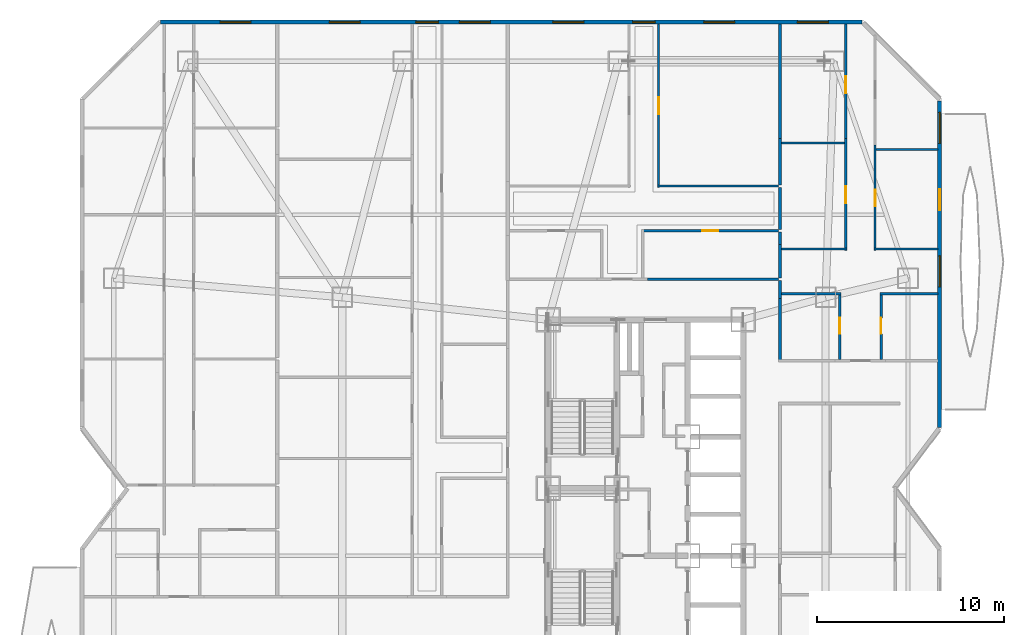
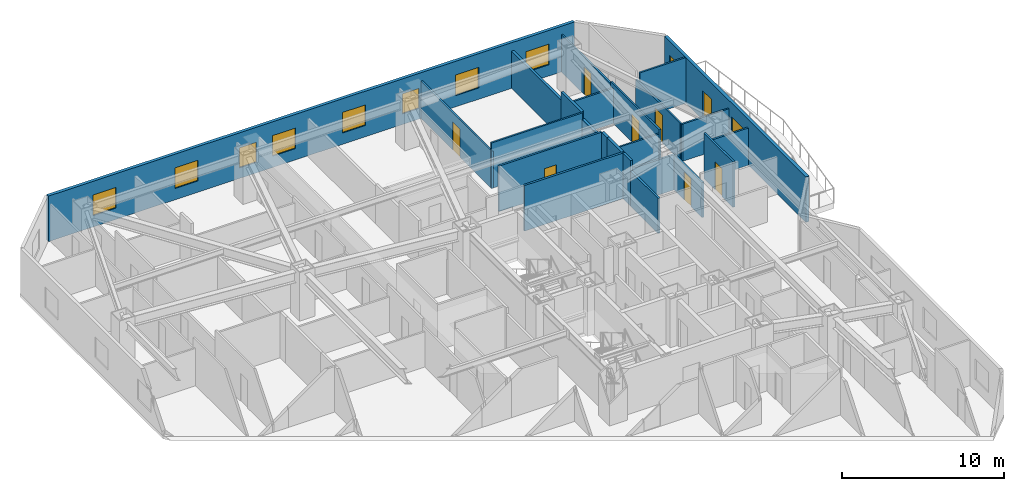
# One storey, part 13 of 17: 24 walls, 10 windows, 8 doors, 18 openings.
"""IFC4 building model written with IfcOpenShell, lengths in metres."""

from ifc_helpers import new_model, si_unit, direction, frame, frame_2d, origin, place, context, subcontext, project, spatial, rectangle, extrude, material, layer, layer_set, type_object, element, fill, save


model = new_model("IFC4")

# Units and contexts
model_context = context("Model", 3, precision=1e-05, world=origin(), true_north=direction((0.0, 1.0)))
body_context = subcontext(model_context, "Body", "Model", "MODEL_VIEW")
ifc_project = project(units=[si_unit("LENGTHUNIT", "METRE"), si_unit("AREAUNIT", "SQUARE_METRE"), si_unit("VOLUMEUNIT", "CUBIC_METRE"), si_unit("PLANEANGLEUNIT", "RADIAN"), si_unit("MASSUNIT", "GRAM", prefix="KILO")], contexts=[model_context])

# Site, building, storey
site_placement = place(None, origin())
site = spatial("IfcSite", under=ifc_project, at=site_placement, CompositionType="ELEMENT")
building_placement = place(site_placement, origin())
building = spatial("IfcBuilding", under=site, at=building_placement, Name="Khamvora Tower", CompositionType="ELEMENT")
storey_placement = place(building_placement, frame((0.0, 0.0, 44.25)))
storey = spatial("IfcBuildingStorey", under=building, at=storey_placement, Name="L10", CompositionType="ELEMENT", Elevation=44.25)

# Walls
ifc_material_1 = material(Name="Fire-Rated Drywall and Steel Stud", Category="steel")
ifc_layer_1 = layer(ifc_material_1, 0.14990234375)
ifc_layer_set_1 = layer_set([ifc_layer_1], Name="Fire-Rated Drywall and Steel Stud")
wall_type_1 = type_object("IfcWallType", Name="WAL-CORR-150", PredefinedType="STANDARD", material=ifc_layer_set_1)
wall_1_placement = place(storey_placement, frame((34.299072265625, 39.1650390625, 0.0), z_axis=(0.0, 0.0, 1.0), x_axis=(1.0, 0.0, 0.0)))
element("IfcWall", 1, at=wall_1_placement, inside=storey, type_object=wall_type_1, Name="L10 interior partition wall 031", PredefinedType="STANDARD", context=body_context, shape_type="SweptSolid", body=[
    extrude(rectangle(XDim=7.0009765625, YDim=0.14990234375, at=frame_2d((3.50048828125, 0.0))), origin(), (0.0, 0.0, 1.0), 3.429931640625),
])
wall_2_placement = place(storey_placement, frame((41.364990234375, 39.10009765625, 0.0), z_axis=(0.0, 0.0, 1.0), x_axis=(0.0, -1.0, 0.0)))
element("IfcWall", 2, at=wall_2_placement, inside=storey, type_object=wall_type_1, Name="L10 interior partition wall 038", PredefinedType="STANDARD", context=body_context, shape_type="SweptSolid", body=[
    extrude(rectangle(XDim=0.9541015625, YDim=0.14990234375, at=frame_2d((0.47705078125, 0.0))), origin(), (0.0, 0.0, 1.0), 3.429931640625),
])
wall_3_placement = place(storey_placement, frame((41.364990234375, 38.14599609375, 0.0), z_axis=(0.0, 0.0, 1.0), x_axis=(0.0, -1.0, 0.0)))
element("IfcWall", 3, at=wall_3_placement, inside=storey, type_object=wall_type_1, Name="L10 interior partition wall 040", PredefinedType="STANDARD", context=body_context, shape_type="SweptSolid", body=[
    extrude(rectangle(XDim=3.39599609375, YDim=0.14990234375, at=frame_2d((1.697998046875, 0.0))), origin(), (0.0, 0.0, 1.0), 2.64697265625),
])
ifc_material_2 = material(Name="Acoustic Double-Stud Fire Wall", Category="gypsum")
ifc_layer_2 = layer(ifc_material_2, 0.179931640625)
ifc_layer_set_2 = layer_set([ifc_layer_2], Name="Acoustic Double-Stud Fire Wall")
wall_type_2 = type_object("IfcWallType", Name="WAL-CORR-180", PredefinedType="STANDARD", material=ifc_layer_set_2)
wall_4_placement = place(storey_placement, frame((41.364990234375, 44.069091796875, 0.0), z_axis=(0.0, 0.0, 1.0), x_axis=(0.0, -1.0, 0.0)))
element("IfcWall", 4, at=wall_4_placement, inside=storey, type_object=wall_type_2, Name="L10 interior partition wall 142", PredefinedType="STANDARD", context=body_context, shape_type="SweptSolid", body=[
    extrude(rectangle(XDim=2.25, YDim=0.179931640625, at=frame_2d((1.125, 0.0))), origin(), (0.0, 0.0, 1.0), 2.95703125),
])
wall_5_placement = place(storey_placement, frame((41.364990234375, 41.02392578125, 0.0), z_axis=(0.0, 0.0, 1.0), x_axis=(0.0, -1.0, 0.0)))
element("IfcWall", 5, at=wall_5_placement, inside=storey, type_object=wall_type_2, Name="L10 interior partition wall 143", PredefinedType="STANDARD", context=body_context, shape_type="SweptSolid", body=[
    extrude(rectangle(XDim=1.7939453125, YDim=0.179931640625, at=frame_2d((0.89697265625, 0.0))), origin(), (0.0, 0.0, 1.0), 3.429931640625),
])
wall_6_placement = place(storey_placement, frame((41.364990234375, 41.68896484375, 0.0), z_axis=(0.0, 0.0, 1.0), x_axis=(0.0, -1.0, 0.0)))
element("IfcWall", 6, at=wall_6_placement, inside=storey, type_object=wall_type_2, Name="L10 interior partition wall 144", PredefinedType="STANDARD", context=body_context, shape_type="SweptSolid", body=[
    extrude(rectangle(XDim=0.6650390625, YDim=0.179931640625, at=frame_2d((0.33251953125, 0.0))), origin(), (0.0, 0.0, 1.0), 3.429931640625),
])
wall_7_placement = place(storey_placement, frame((41.364990234375, 46.68701171875, 0.0), z_axis=(0.0, 0.0, 1.0), x_axis=(0.0, -1.0, 0.0)))
element("IfcWall", 7, at=wall_7_placement, inside=storey, type_object=wall_type_2, Name="L10 interior partition wall 145", PredefinedType="STANDARD", context=body_context, shape_type="SweptSolid", body=[
    extrude(rectangle(XDim=2.488037109375, YDim=0.179931640625, at=frame_2d((1.244140625, 0.0))), origin(), (0.0, 0.0, 1.0), 3.429931640625),
])
wall_8_placement = place(storey_placement, frame((41.364990234375, 52.7880859375, 0.0), z_axis=(0.0, 0.0, 1.0), x_axis=(0.0, -1.0, 0.0)))
element("IfcWall", 8, at=wall_8_placement, inside=storey, type_object=wall_type_2, Name="L10 interior partition wall 146", PredefinedType="STANDARD", context=body_context, shape_type="SweptSolid", body=[
    extrude(rectangle(XDim=6.10107421875, YDim=0.179931640625, at=frame_2d((3.050537109375, 0.0))), origin(), (0.0, 0.0, 1.0), 2.802978515625),
])

# Wall, openings, windows
ifc_material_3 = material(Name="Precast concrete C40/50", Category="concrete")
ifc_layer_3 = layer(ifc_material_3, 0.219970703125)
ifc_layer_set_3 = layer_set([ifc_layer_3], Name="Precast concrete C40/50")
wall_type_3 = type_object("IfcWallType", Name="WAL-EXT-220", PredefinedType="STANDARD", material=ifc_layer_set_3)
wall_9_placement = place(storey_placement, frame((8.31494140625, 52.889892578125, 0.0), z_axis=(0.0, 0.0, 1.0), x_axis=(1.0, 0.0, 0.0)))
wall_9 = element("IfcWall", 9, at=wall_9_placement, inside=storey, type_object=wall_type_3, Name="L10 exterior facade wall 07.1", PredefinedType="STANDARD", context=body_context, shape_type="SweptSolid", body=[
    extrude(rectangle(XDim=37.43896484375, YDim=0.219970703125, at=frame_2d((18.719482421875, 0.0))), origin(), (0.0, 0.0, 1.0), 3.429931640625),
])
opening_1_placement = place(wall_9_placement, frame((3.1640625, 0.0, 0.85009765625)))
opening_1 = element("IfcOpeningElement", 10, at=opening_1_placement, cuts=wall_9, Name="Opening WN-06", PredefinedType="OPENING", context=body_context, shape_type="SweptSolid", body=[
    extrude(rectangle(XDim=1.64990234375, YDim=1.550048828125, at=frame_2d((0.824951171875, 0.77490234375))), frame((0.0, 0.119873046875, 0.0), z_axis=(0.0, -1.0, 0.0), x_axis=(1.0, 0.0, 0.0)), (0.0, 0.0, 1.0), 0.239990234375),
])
opening_2_placement = place(wall_9_placement, frame((15.93994140625, 0.0, 0.85009765625)))
opening_2 = element("IfcOpeningElement", 11, at=opening_2_placement, cuts=wall_9, Name="Opening WN-06", PredefinedType="OPENING", context=body_context, shape_type="SweptSolid", body=[
    extrude(rectangle(XDim=1.64990234375, YDim=1.550048828125, at=frame_2d((0.824951171875, 0.77490234375))), frame((0.0, 0.119873046875, 0.0), z_axis=(0.0, -1.0, 0.0), x_axis=(1.0, 0.0, 0.0)), (0.0, 0.0, 1.0), 0.239990234375),
])
opening_3_placement = place(wall_9_placement, frame((13.618896484375, 0.0, 0.800048828125)))
opening_3 = element("IfcOpeningElement", 12, at=opening_3_placement, cuts=wall_9, Name="Opening WN-03", PredefinedType="OPENING", context=body_context, shape_type="SweptSolid", body=[
    extrude(rectangle(XDim=1.199951171875, YDim=1.5, at=frame_2d((0.60009765625, 0.75))), frame((0.0, 0.119873046875, 0.0), z_axis=(0.0, -1.0, 0.0), x_axis=(1.0, 0.0, 0.0)), (0.0, 0.0, 1.0), 0.239990234375),
])
opening_4_placement = place(wall_9_placement, frame((8.9990234375, 0.0, 0.85009765625)))
opening_4 = element("IfcOpeningElement", 13, at=opening_4_placement, cuts=wall_9, Name="Opening WN-06", PredefinedType="OPENING", context=body_context, shape_type="SweptSolid", body=[
    extrude(rectangle(XDim=1.64990234375, YDim=1.550048828125, at=frame_2d((0.824951171875, 0.77490234375))), frame((0.0, 0.119873046875, 0.0), z_axis=(0.0, -1.0, 0.0), x_axis=(1.0, 0.0, 0.0)), (0.0, 0.0, 1.0), 0.239990234375),
])
opening_5_placement = place(wall_9_placement, frame((25.18505859375, 0.0, 0.800048828125)))
opening_5 = element("IfcOpeningElement", 14, at=opening_5_placement, cuts=wall_9, Name="Opening WN-03", PredefinedType="OPENING", context=body_context, shape_type="SweptSolid", body=[
    extrude(rectangle(XDim=1.199951171875, YDim=1.5, at=frame_2d((0.60009765625, 0.75))), frame((0.0, 0.119873046875, 0.0), z_axis=(0.0, -1.0, 0.0), x_axis=(1.0, 0.0, 0.0)), (0.0, 0.0, 1.0), 0.239990234375),
])
opening_6_placement = place(wall_9_placement, frame((20.93505859375, 0.0, 0.85009765625)))
opening_6 = element("IfcOpeningElement", 15, at=opening_6_placement, cuts=wall_9, Name="Opening WN-06", PredefinedType="OPENING", context=body_context, shape_type="SweptSolid", body=[
    extrude(rectangle(XDim=1.64990234375, YDim=1.550048828125, at=frame_2d((0.824951171875, 0.77490234375))), frame((0.0, 0.119873046875, 0.0), z_axis=(0.0, -1.0, 0.0), x_axis=(1.0, 0.0, 0.0)), (0.0, 0.0, 1.0), 0.239990234375),
])
opening_7_placement = place(wall_9_placement, frame((28.985107421875, 0.0, 0.85009765625)))
opening_7 = element("IfcOpeningElement", 16, at=opening_7_placement, cuts=wall_9, Name="Opening WN-06", PredefinedType="OPENING", context=body_context, shape_type="SweptSolid", body=[
    extrude(rectangle(XDim=1.64990234375, YDim=1.550048828125, at=frame_2d((0.824951171875, 0.77490234375))), frame((0.0, 0.119873046875, 0.0), z_axis=(0.0, -1.0, 0.0), x_axis=(1.0, 0.0, 0.0)), (0.0, 0.0, 1.0), 0.239990234375),
])
opening_8_placement = place(wall_9_placement, frame((33.97998046875, 0.0, 0.85009765625)))
opening_8 = element("IfcOpeningElement", 17, at=opening_8_placement, cuts=wall_9, Name="Opening WN-06", PredefinedType="OPENING", context=body_context, shape_type="SweptSolid", body=[
    extrude(rectangle(XDim=1.64990234375, YDim=1.550048828125, at=frame_2d((0.824951171875, 0.77490234375))), frame((0.0, 0.119873046875, 0.0), z_axis=(0.0, -1.0, 0.0), x_axis=(1.0, 0.0, 0.0)), (0.0, 0.0, 1.0), 0.239990234375),
])
ifc_material_4 = material(Name="Low-E Laminated Double Glazing", Category="glass")
window_type_1 = type_object("IfcWindowType", Name="WIN-VIS-1200x1500", PartitioningType="SINGLE_PANEL", PredefinedType="WINDOW", material=ifc_material_4)
window_1_placement = place(opening_3_placement, origin())
window_1 = element("IfcWindow", 18, at=window_1_placement, inside=storey, type_object=window_type_1, Name="L10 vision window 07.1.03", OverallHeight=1.5, OverallWidth=1.199951171875, PartitioningType="SINGLE_PANEL", PredefinedType="WINDOW", context=body_context, shape_type="SweptSolid", body=[
    extrude(rectangle(XDim=1.199951171875, YDim=1.5, at=frame_2d((0.60009765625, 0.75))), frame((0.0, 0.030029296875, 0.0), z_axis=(0.0, -1.0, 0.0), x_axis=(1.0, 0.0, 0.0)), (0.0, 0.0, 1.0), 0.06005859375),
])
fill(opening_3, window_1)
window_2_placement = place(opening_5_placement, origin())
window_2 = element("IfcWindow", 19, at=window_2_placement, inside=storey, type_object=window_type_1, Name="L10 vision window 07.1.05", OverallHeight=1.5, OverallWidth=1.199951171875, PartitioningType="SINGLE_PANEL", PredefinedType="WINDOW", context=body_context, shape_type="SweptSolid", body=[
    extrude(rectangle(XDim=1.199951171875, YDim=1.5, at=frame_2d((0.60009765625, 0.75))), frame((0.0, 0.030029296875, 0.0), z_axis=(0.0, -1.0, 0.0), x_axis=(1.0, 0.0, 0.0)), (0.0, 0.0, 1.0), 0.06005859375),
])
fill(opening_5, window_2)
window_type_2 = type_object("IfcWindowType", Name="WIN-VIS-1650x1550", PartitioningType="SINGLE_PANEL", PredefinedType="WINDOW", material=ifc_material_4)
window_3_placement = place(opening_1_placement, origin())
window_3 = element("IfcWindow", 20, at=window_3_placement, inside=storey, type_object=window_type_2, Name="L10 vision window 07.1.01", OverallHeight=1.550048828125, OverallWidth=1.64990234375, PartitioningType="SINGLE_PANEL", PredefinedType="WINDOW", context=body_context, shape_type="SweptSolid", body=[
    extrude(rectangle(XDim=1.64990234375, YDim=1.550048828125, at=frame_2d((0.824951171875, 0.77490234375))), frame((0.0, 0.030029296875, 0.0), z_axis=(0.0, -1.0, 0.0), x_axis=(1.0, 0.0, 0.0)), (0.0, 0.0, 1.0), 0.06005859375),
])
fill(opening_1, window_3)
window_4_placement = place(opening_2_placement, origin())
window_4 = element("IfcWindow", 21, at=window_4_placement, inside=storey, type_object=window_type_2, Name="L10 vision window 07.1.02", OverallHeight=1.550048828125, OverallWidth=1.64990234375, PartitioningType="SINGLE_PANEL", PredefinedType="WINDOW", context=body_context, shape_type="SweptSolid", body=[
    extrude(rectangle(XDim=1.64990234375, YDim=1.550048828125, at=frame_2d((0.824951171875, 0.77490234375))), frame((0.0, 0.030029296875, 0.0), z_axis=(0.0, -1.0, 0.0), x_axis=(1.0, 0.0, 0.0)), (0.0, 0.0, 1.0), 0.06005859375),
])
fill(opening_2, window_4)
window_5_placement = place(opening_4_placement, origin())
window_5 = element("IfcWindow", 22, at=window_5_placement, inside=storey, type_object=window_type_2, Name="L10 vision window 07.1.04", OverallHeight=1.550048828125, OverallWidth=1.64990234375, PartitioningType="SINGLE_PANEL", PredefinedType="WINDOW", context=body_context, shape_type="SweptSolid", body=[
    extrude(rectangle(XDim=1.64990234375, YDim=1.550048828125, at=frame_2d((0.824951171875, 0.77490234375))), frame((0.0, 0.030029296875, 0.0), z_axis=(0.0, -1.0, 0.0), x_axis=(1.0, 0.0, 0.0)), (0.0, 0.0, 1.0), 0.06005859375),
])
fill(opening_4, window_5)
window_6_placement = place(opening_6_placement, origin())
window_6 = element("IfcWindow", 23, at=window_6_placement, inside=storey, type_object=window_type_2, Name="L10 vision window 07.1.06", OverallHeight=1.550048828125, OverallWidth=1.64990234375, PartitioningType="SINGLE_PANEL", PredefinedType="WINDOW", context=body_context, shape_type="SweptSolid", body=[
    extrude(rectangle(XDim=1.64990234375, YDim=1.550048828125, at=frame_2d((0.824951171875, 0.77490234375))), frame((0.0, 0.030029296875, 0.0), z_axis=(0.0, -1.0, 0.0), x_axis=(1.0, 0.0, 0.0)), (0.0, 0.0, 1.0), 0.06005859375),
])
fill(opening_6, window_6)
window_7_placement = place(opening_7_placement, origin())
window_7 = element("IfcWindow", 24, at=window_7_placement, inside=storey, type_object=window_type_2, Name="L10 vision window 07.1.07", OverallHeight=1.550048828125, OverallWidth=1.64990234375, PartitioningType="SINGLE_PANEL", PredefinedType="WINDOW", context=body_context, shape_type="SweptSolid", body=[
    extrude(rectangle(XDim=1.64990234375, YDim=1.550048828125, at=frame_2d((0.824951171875, 0.77490234375))), frame((0.0, 0.030029296875, 0.0), z_axis=(0.0, -1.0, 0.0), x_axis=(1.0, 0.0, 0.0)), (0.0, 0.0, 1.0), 0.06005859375),
])
fill(opening_7, window_7)
window_8_placement = place(opening_8_placement, origin())
window_8 = element("IfcWindow", 25, at=window_8_placement, inside=storey, type_object=window_type_2, Name="L10 vision window 07.1.08", OverallHeight=1.550048828125, OverallWidth=1.64990234375, PartitioningType="SINGLE_PANEL", PredefinedType="WINDOW", context=body_context, shape_type="SweptSolid", body=[
    extrude(rectangle(XDim=1.64990234375, YDim=1.550048828125, at=frame_2d((0.824951171875, 0.77490234375))), frame((0.0, 0.030029296875, 0.0), z_axis=(0.0, -1.0, 0.0), x_axis=(1.0, 0.0, 0.0)), (0.0, 0.0, 1.0), 0.06005859375),
])
fill(opening_8, window_8)

# Wall, openings, door, windows
wall_10_placement = place(storey_placement, frame((49.889892578125, 48.68310546875, 0.0), z_axis=(0.0, 0.0, 1.0), x_axis=(0.0, -1.0, 0.0)))
wall_10 = element("IfcWall", 26, at=wall_10_placement, inside=storey, type_object=wall_type_3, Name="L10 exterior facade wall 09.1", PredefinedType="STANDARD", context=body_context, shape_type="SweptSolid", body=[
    extrude(rectangle(XDim=17.446044921875, YDim=0.219970703125, at=frame_2d((8.72314453125, 0.0))), origin(), (0.0, 0.0, 1.0), 3.429931640625),
])
opening_9_placement = place(wall_10_placement, frame((4.72900390625, 0.0, 0.0)))
opening_9 = element("IfcOpeningElement", 27, at=opening_9_placement, cuts=wall_10, Name="Opening BD-01", PredefinedType="OPENING", context=body_context, shape_type="SweptSolid", body=[
    extrude(rectangle(XDim=1.10009765625, YDim=2.199951171875, at=frame_2d((0.550048828125, 1.10009765625))), frame((0.0, 0.119873046875, 0.0), z_axis=(0.0, -1.0, 0.0), x_axis=(1.0, 0.0, 0.0)), (0.0, 0.0, 1.0), 0.239990234375),
])
opening_10_placement = place(wall_10_placement, frame((8.27294921875, 0.0, 0.85009765625)))
opening_10 = element("IfcOpeningElement", 28, at=opening_10_placement, cuts=wall_10, Name="Opening WN-06", PredefinedType="OPENING", context=body_context, shape_type="SweptSolid", body=[
    extrude(rectangle(XDim=1.64990234375, YDim=1.550048828125, at=frame_2d((0.824951171875, 0.77490234375))), frame((0.0, 0.119873046875, 0.0), z_axis=(0.0, -1.0, 0.0), x_axis=(1.0, 0.0, 0.0)), (0.0, 0.0, 1.0), 0.239990234375),
])
opening_11_placement = place(wall_10_placement, frame((0.615966796875, 0.0, 0.85009765625)))
opening_11 = element("IfcOpeningElement", 29, at=opening_11_placement, cuts=wall_10, Name="Opening WN-06", PredefinedType="OPENING", context=body_context, shape_type="SweptSolid", body=[
    extrude(rectangle(XDim=1.64990234375, YDim=1.550048828125, at=frame_2d((0.824951171875, 0.77490234375))), frame((0.0, 0.119873046875, 0.0), z_axis=(0.0, -1.0, 0.0), x_axis=(1.0, 0.0, 0.0)), (0.0, 0.0, 1.0), 0.239990234375),
])
ifc_material_5 = material(Name="Anodised Aluminium and Laminated Safety Glass", Category="aluminium")
door_type_1 = type_object("IfcDoorType", Name="DOR-BAL-1100", OperationType="NOTDEFINED", PredefinedType="DOOR", material=ifc_material_5)
door_1_placement = place(opening_9_placement, origin())
door_1 = element("IfcDoor", 30, at=door_1_placement, inside=storey, type_object=door_type_1, Name="L10 lens gallery balcony door EL2", OperationType="SLIDING_TO_LEFT", OverallHeight=2.199951171875, OverallWidth=1.10009765625, PredefinedType="DOOR", context=body_context, shape_type="SweptSolid", body=[
    extrude(rectangle(XDim=1.10009765625, YDim=2.199951171875, at=frame_2d((0.550048828125, 1.10009765625))), frame((0.0, 0.02490234375, 0.0), z_axis=(0.0, -1.0, 0.0), x_axis=(1.0, 0.0, 0.0)), (0.0, 0.0, 1.0), 0.050048828125),
])
fill(opening_9, door_1)
window_9_placement = place(opening_10_placement, origin())
window_9 = element("IfcWindow", 31, at=window_9_placement, inside=storey, type_object=window_type_2, Name="L10 vision window 09.1.01", OverallHeight=1.550048828125, OverallWidth=1.64990234375, PartitioningType="SINGLE_PANEL", PredefinedType="WINDOW", context=body_context, shape_type="SweptSolid", body=[
    extrude(rectangle(XDim=1.64990234375, YDim=1.550048828125, at=frame_2d((0.824951171875, 0.77490234375))), frame((0.0, 0.030029296875, 0.0), z_axis=(0.0, -1.0, 0.0), x_axis=(1.0, 0.0, 0.0)), (0.0, 0.0, 1.0), 0.06005859375),
])
fill(opening_10, window_9)
window_10_placement = place(opening_11_placement, origin())
window_10 = element("IfcWindow", 32, at=window_10_placement, inside=storey, type_object=window_type_2, Name="L10 vision window 09.1.02", OverallHeight=1.550048828125, OverallWidth=1.64990234375, PartitioningType="SINGLE_PANEL", PredefinedType="WINDOW", context=body_context, shape_type="SweptSolid", body=[
    extrude(rectangle(XDim=1.64990234375, YDim=1.550048828125, at=frame_2d((0.824951171875, 0.77490234375))), frame((0.0, 0.030029296875, 0.0), z_axis=(0.0, -1.0, 0.0), x_axis=(1.0, 0.0, 0.0)), (0.0, 0.0, 1.0), 0.06005859375),
])
fill(opening_11, window_10)

# Wall, opening, door
ifc_material_6 = material(Name="Gypsum Plasterboard Partition", Category="gypsum")
ifc_layer_4 = layer(ifc_material_6, 0.1201171875)
ifc_layer_set_4 = layer_set([ifc_layer_4], Name="Gypsum Plasterboard Partition")
wall_type_4 = type_object("IfcWallType", Name="WAL-PART-120", PredefinedType="PARTITIONING", material=ifc_layer_set_4)
wall_11_placement = place(storey_placement, frame((34.885009765625, 52.7880859375, 0.0), z_axis=(0.0, 0.0, 1.0), x_axis=(0.0, -1.0, 0.0)))
wall_11 = element("IfcWall", 33, at=wall_11_placement, inside=storey, type_object=wall_type_4, Name="L10 interior partition wall 140", PredefinedType="PARTITIONING", context=body_context, shape_type="SweptSolid", body=[
    extrude(rectangle(XDim=8.718994140625, YDim=0.1201171875, at=frame_2d((4.359375, 0.0))), origin(), (0.0, 0.0, 1.0), 2.802978515625),
])
opening_12_placement = place(wall_11_placement, frame((3.908935546875, 0.0, 0.0)))
opening_12 = element("IfcOpeningElement", 34, at=opening_12_placement, cuts=wall_11, Name="Opening D-RM1", PredefinedType="OPENING", context=body_context, shape_type="SweptSolid", body=[
    extrude(rectangle(XDim=0.89990234375, YDim=2.10009765625, at=frame_2d((0.449951171875, 1.050048828125))), frame((0.0, 0.070068359375, 0.0), z_axis=(0.0, -1.0, 0.0), x_axis=(1.0, 0.0, 0.0)), (0.0, 0.0, 1.0), 0.14013671875),
])
ifc_material_7 = material(Name="Powder-Coated Steel and Hardwood Leaf", Category="steel")
door_type_2 = type_object("IfcDoorType", Name="DOR-ROOM-900", OperationType="NOTDEFINED", PredefinedType="DOOR", material=ifc_material_7)
door_2_placement = place(opening_12_placement, origin())
door_2 = element("IfcDoor", 35, at=door_2_placement, inside=storey, type_object=door_type_2, Name="L10 interior door 10NAH-10NAR2", OperationType="SINGLE_SWING_LEFT", OverallHeight=2.10009765625, OverallWidth=0.89990234375, PredefinedType="DOOR", context=body_context, shape_type="SweptSolid", body=[
    extrude(rectangle(XDim=0.89990234375, YDim=2.10009765625, at=frame_2d((0.449951171875, 1.050048828125))), frame((0.0, 0.02490234375, 0.0), z_axis=(0.0, -1.0, 0.0), x_axis=(1.0, 0.0, 0.0)), (0.0, 0.0, 1.0), 0.050048828125),
])
fill(opening_12, door_2)

# Walls
wall_12_placement = place(storey_placement, frame((34.820068359375, 44.134033203125, 0.0), z_axis=(0.0, 0.0, 1.0), x_axis=(1.0, 0.0, 0.0)))
element("IfcWall", 36, at=wall_12_placement, inside=storey, type_object=wall_type_4, Name="L10 interior partition wall 141", PredefinedType="PARTITIONING", context=body_context, shape_type="SweptSolid", body=[
    extrude(rectangle(XDim=6.47998046875, YDim=0.1201171875, at=frame_2d((3.239990234375, 0.0))), origin(), (0.0, 0.0, 1.0), 3.429931640625),
])
wall_13_placement = place(storey_placement, frame((41.447021484375, 40.77490234375, 0.0), z_axis=(0.0, 0.0, 1.0), x_axis=(1.0, 0.0, 0.0)))
element("IfcWall", 37, at=wall_13_placement, inside=storey, type_object=wall_type_4, Name="L10 interior partition wall 166", PredefinedType="PARTITIONING", context=body_context, shape_type="SweptSolid", body=[
    extrude(rectangle(XDim=3.492919921875, YDim=0.1201171875, at=frame_2d((1.74658203125, 0.0))), origin(), (0.0, 0.0, 1.0), 2.64697265625),
])

# Wall, opening, door
wall_14_placement = place(storey_placement, frame((44.875, 40.7099609375, 0.0), z_axis=(0.0, 0.0, 1.0), x_axis=(0.0, 1.0, 0.0)))
wall_14 = element("IfcWall", 38, at=wall_14_placement, inside=storey, type_object=wall_type_4, Name="L10 interior partition wall 167", PredefinedType="PARTITIONING", context=body_context, shape_type="SweptSolid", body=[
    extrude(rectangle(XDim=5.97705078125, YDim=0.1201171875, at=frame_2d((2.988525390625, 0.0))), origin(), (0.0, 0.0, 1.0), 2.95703125),
])
opening_13_placement = place(wall_14_placement, frame((2.51708984375, 0.0, 0.0)))
opening_13 = element("IfcOpeningElement", 39, at=opening_13_placement, cuts=wall_14, Name="Opening D-RM1", PredefinedType="OPENING", context=body_context, shape_type="SweptSolid", body=[
    extrude(rectangle(XDim=0.89990234375, YDim=2.10009765625, at=frame_2d((0.449951171875, 1.050048828125))), frame((0.0, 0.070068359375, 0.0), z_axis=(0.0, -1.0, 0.0), x_axis=(1.0, 0.0, 0.0)), (0.0, 0.0, 1.0), 0.14013671875),
])
door_3_placement = place(opening_13_placement, origin())
door_3 = element("IfcDoor", 40, at=door_3_placement, inside=storey, type_object=door_type_2, Name="L10 interior door 10ECH-10ECL", OperationType="SINGLE_SWING_RIGHT", OverallHeight=2.10009765625, OverallWidth=0.89990234375, PredefinedType="DOOR", context=body_context, shape_type="SweptSolid", body=[
    extrude(rectangle(XDim=0.89990234375, YDim=2.10009765625, at=frame_2d((0.449951171875, 1.050048828125))), frame((0.0, 0.02490234375, 0.0), z_axis=(0.0, -1.0, 0.0), x_axis=(1.0, 0.0, 0.0)), (0.0, 0.0, 1.0), 0.050048828125),
])
fill(opening_13, door_3)

wall_15_placement = place(storey_placement, frame((44.875, 46.68701171875, 0.0), z_axis=(0.0, 0.0, 1.0), x_axis=(0.0, 1.0, 0.0)))
wall_15 = element("IfcWall", 41, at=wall_15_placement, inside=storey, type_object=wall_type_4, Name="L10 interior partition wall 168", PredefinedType="PARTITIONING", context=body_context, shape_type="SweptSolid", body=[
    extrude(rectangle(XDim=6.10107421875, YDim=0.1201171875, at=frame_2d((3.050537109375, 0.0))), origin(), (0.0, 0.0, 1.0), 2.802978515625),
])
opening_14_placement = place(wall_15_placement, frame((2.406005859375, 0.0, 0.0)))
opening_14 = element("IfcOpeningElement", 42, at=opening_14_placement, cuts=wall_15, Name="Opening D-RM1", PredefinedType="OPENING", context=body_context, shape_type="SweptSolid", body=[
    extrude(rectangle(XDim=0.89990234375, YDim=2.10009765625, at=frame_2d((0.449951171875, 1.050048828125))), frame((0.0, 0.070068359375, 0.0), z_axis=(0.0, -1.0, 0.0), x_axis=(1.0, 0.0, 0.0)), (0.0, 0.0, 1.0), 0.14013671875),
])
door_4_placement = place(opening_14_placement, origin())
door_4 = element("IfcDoor", 43, at=door_4_placement, inside=storey, type_object=door_type_2, Name="L10 interior door 10ECH-10ECR2", OperationType="SINGLE_SWING_LEFT", OverallHeight=2.10009765625, OverallWidth=0.89990234375, PredefinedType="DOOR", context=body_context, shape_type="SweptSolid", body=[
    extrude(rectangle(XDim=0.89990234375, YDim=2.10009765625, at=frame_2d((0.449951171875, 1.050048828125))), frame((0.0, 0.02490234375, 0.0), z_axis=(0.0, -1.0, 0.0), x_axis=(1.0, 0.0, 0.0)), (0.0, 0.0, 1.0), 0.050048828125),
])
fill(opening_14, door_4)

# Wall
wall_16_placement = place(storey_placement, frame((46.3798828125, 40.77490234375, 0.0), z_axis=(0.0, 0.0, 1.0), x_axis=(1.0, 0.0, 0.0)))
element("IfcWall", 44, at=wall_16_placement, inside=storey, type_object=wall_type_4, Name="L10 interior partition wall 169", PredefinedType="PARTITIONING", context=body_context, shape_type="SweptSolid", body=[
    extrude(rectangle(XDim=3.408203125, YDim=0.1201171875, at=frame_2d((1.7041015625, 0.0))), origin(), (0.0, 0.0, 1.0), 2.802978515625),
])

# Wall, opening, door
wall_17_placement = place(storey_placement, frame((46.445068359375, 46.3359375, 0.0), z_axis=(0.0, 0.0, 1.0), x_axis=(0.0, -1.0, 0.0)))
wall_17 = element("IfcWall", 45, at=wall_17_placement, inside=storey, type_object=wall_type_4, Name="L10 interior partition wall 170", PredefinedType="PARTITIONING", context=body_context, shape_type="SweptSolid", body=[
    extrude(rectangle(XDim=5.6259765625, YDim=0.1201171875, at=frame_2d((2.81298828125, 0.0))), origin(), (0.0, 0.0, 1.0), 2.802978515625),
])
opening_15_placement = place(wall_17_placement, frame((2.385009765625, 0.0, 0.0)))
opening_15 = element("IfcOpeningElement", 46, at=opening_15_placement, cuts=wall_17, Name="Opening D-RM1", PredefinedType="OPENING", context=body_context, shape_type="SweptSolid", body=[
    extrude(rectangle(XDim=0.89990234375, YDim=2.10009765625, at=frame_2d((0.449951171875, 1.050048828125))), frame((0.0, 0.070068359375, 0.0), z_axis=(0.0, -1.0, 0.0), x_axis=(1.0, 0.0, 0.0)), (0.0, 0.0, 1.0), 0.14013671875),
])
door_5_placement = place(opening_15_placement, origin())
door_5 = element("IfcDoor", 47, at=door_5_placement, inside=storey, type_object=door_type_2, Name="L10 interior door 10ECH-10ECR3", OperationType="SINGLE_SWING_LEFT", OverallHeight=2.10009765625, OverallWidth=0.89990234375, PredefinedType="DOOR", context=body_context, shape_type="SweptSolid", body=[
    extrude(rectangle(XDim=0.89990234375, YDim=2.10009765625, at=frame_2d((0.449951171875, 1.050048828125))), frame((0.0, 0.02490234375, 0.0), z_axis=(0.0, -1.0, 0.0), x_axis=(1.0, 0.0, 0.0)), (0.0, 0.0, 1.0), 0.050048828125),
])
fill(opening_15, door_5)

# Walls
wall_18_placement = place(storey_placement, frame((41.447021484375, 46.43701171875, 0.0), z_axis=(0.0, 0.0, 1.0), x_axis=(1.0, 0.0, 0.0)))
element("IfcWall", 48, at=wall_18_placement, inside=storey, type_object=wall_type_4, Name="L10 interior partition wall 172", PredefinedType="PARTITIONING", context=body_context, shape_type="SweptSolid", body=[
    extrude(rectangle(XDim=3.3740234375, YDim=0.1201171875, at=frame_2d((1.68701171875, 0.0))), origin(), (0.0, 0.0, 1.0), 2.64697265625),
])
wall_19_placement = place(storey_placement, frame((46.4990234375, 46.0859375, 0.0), z_axis=(0.0, 0.0, 1.0), x_axis=(1.0, 0.0, 0.0)))
element("IfcWall", 49, at=wall_19_placement, inside=storey, type_object=wall_type_4, Name="L10 interior partition wall 173", PredefinedType="PARTITIONING", context=body_context, shape_type="SweptSolid", body=[
    extrude(rectangle(XDim=3.2890625, YDim=0.1201171875, at=frame_2d((1.64453125, 0.0))), origin(), (0.0, 0.0, 1.0), 3.429931640625),
])

# Wall, opening, door
ifc_material_8 = material(Name="Moisture-Resistant Plasterboard Partition", Category="gypsum")
ifc_layer_5 = layer(ifc_material_8, 0.135009765625)
ifc_layer_set_5 = layer_set([ifc_layer_5], Name="Moisture-Resistant Plasterboard Partition")
wall_type_5 = type_object("IfcWallType", Name="WAL-WET-135", PredefinedType="PARTITIONING", material=ifc_layer_set_5)
wall_20_placement = place(storey_placement, frame((41.300048828125, 41.75390625, 0.0), z_axis=(0.0, 0.0, 1.0), x_axis=(-1.0, 0.0, 0.0)))
wall_20 = element("IfcWall", 50, at=wall_20_placement, inside=storey, type_object=wall_type_5, Name="L10 interior partition wall 136", PredefinedType="PARTITIONING", context=body_context, shape_type="SweptSolid", body=[
    extrude(rectangle(XDim=7.31494140625, YDim=0.135009765625, at=frame_2d((3.657470703125, 0.0))), origin(), (0.0, 0.0, 1.0), 3.429931640625),
])
opening_16_placement = place(wall_20_placement, frame((3.23291015625, 0.0, 0.0)))
opening_16 = element("IfcOpeningElement", 51, at=opening_16_placement, cuts=wall_20, Name="Opening D-RM2", PredefinedType="OPENING", context=body_context, shape_type="SweptSolid", body=[
    extrude(rectangle(XDim=0.85009765625, YDim=2.10009765625, at=frame_2d((0.425048828125, 1.050048828125))), frame((0.0, 0.077392578125, 0.0), z_axis=(0.0, -1.0, 0.0), x_axis=(1.0, 0.0, 0.0)), (0.0, 0.0, 1.0), 0.155029296875),
])
door_type_3 = type_object("IfcDoorType", Name="DOR-ROOM-850", OperationType="NOTDEFINED", PredefinedType="DOOR", material=ifc_material_7)
door_6_placement = place(opening_16_placement, origin())
door_6 = element("IfcDoor", 52, at=door_6_placement, inside=storey, type_object=door_type_3, Name="L10 interior door 10NAH-10NAK", OperationType="SINGLE_SWING_LEFT", OverallHeight=2.10009765625, OverallWidth=0.85009765625, PredefinedType="DOOR", context=body_context, shape_type="SweptSolid", body=[
    extrude(rectangle(XDim=0.85009765625, YDim=2.10009765625, at=frame_2d((0.425048828125, 1.050048828125))), frame((0.0, 0.02490234375, 0.0), z_axis=(0.0, -1.0, 0.0), x_axis=(1.0, 0.0, 0.0)), (0.0, 0.0, 1.0), 0.050048828125),
])
fill(opening_16, door_6)

wall_21_placement = place(storey_placement, frame((44.56005859375, 34.8798828125, 0.0), z_axis=(0.0, 0.0, 1.0), x_axis=(0.0, 1.0, 0.0)))
wall_21 = element("IfcWall", 53, at=wall_21_placement, inside=storey, type_object=wall_type_5, Name="L10 interior partition wall 162", PredefinedType="PARTITIONING", context=body_context, shape_type="SweptSolid", body=[
    extrude(rectangle(XDim=3.580078125, YDim=0.135009765625, at=frame_2d((1.7900390625, 0.0))), origin(), (0.0, 0.0, 1.0), 2.64697265625),
])
opening_17_placement = place(wall_21_placement, frame((1.364990234375, 0.0, 0.0)))
opening_17 = element("IfcOpeningElement", 54, at=opening_17_placement, cuts=wall_21, Name="Opening D-WC1", PredefinedType="OPENING", context=body_context, shape_type="SweptSolid", body=[
    extrude(rectangle(XDim=0.85009765625, YDim=2.10009765625, at=frame_2d((0.425048828125, 1.050048828125))), frame((0.0, 0.077392578125, 0.0), z_axis=(0.0, -1.0, 0.0), x_axis=(1.0, 0.0, 0.0)), (0.0, 0.0, 1.0), 0.155029296875),
])
door_type_4 = type_object("IfcDoorType", Name="DOR-WET-850", OperationType="NOTDEFINED", PredefinedType="DOOR", material=ifc_material_7)
door_7_placement = place(opening_17_placement, origin())
door_7 = element("IfcDoor", 55, at=door_7_placement, inside=storey, type_object=door_type_4, Name="L10 interior door 10ECH-10ECB", OperationType="SINGLE_SWING_LEFT", OverallHeight=2.10009765625, OverallWidth=0.85009765625, PredefinedType="DOOR", context=body_context, shape_type="SweptSolid", body=[
    extrude(rectangle(XDim=0.85009765625, YDim=2.10009765625, at=frame_2d((0.425048828125, 1.050048828125))), frame((0.0, 0.02490234375, 0.0), z_axis=(0.0, -1.0, 0.0), x_axis=(1.0, 0.0, 0.0)), (0.0, 0.0, 1.0), 0.050048828125),
])
fill(opening_17, door_7)

# Walls
wall_22_placement = place(storey_placement, frame((44.625, 38.39501953125, 0.0), z_axis=(0.0, 0.0, 1.0), x_axis=(-1.0, 0.0, 0.0)))
element("IfcWall", 56, at=wall_22_placement, inside=storey, type_object=wall_type_5, Name="L10 interior partition wall 163", PredefinedType="PARTITIONING", context=body_context, shape_type="SweptSolid", body=[
    extrude(rectangle(XDim=3.193115234375, YDim=0.135009765625, at=frame_2d((1.5966796875, 0.0))), origin(), (0.0, 0.0, 1.0), 2.64697265625),
])
wall_23_placement = place(storey_placement, frame((49.7880859375, 38.39501953125, 0.0), z_axis=(0.0, 0.0, 1.0), x_axis=(-1.0, 0.0, 0.0)))
element("IfcWall", 57, at=wall_23_placement, inside=storey, type_object=wall_type_5, Name="L10 interior partition wall 164", PredefinedType="PARTITIONING", context=body_context, shape_type="SweptSolid", body=[
    extrude(rectangle(XDim=3.093017578125, YDim=0.135009765625, at=frame_2d((1.54638671875, 0.0))), origin(), (0.0, 0.0, 1.0), 2.802978515625),
])

# Wall, opening, door
wall_24_placement = place(storey_placement, frame((46.760009765625, 38.4599609375, 0.0), z_axis=(0.0, 0.0, 1.0), x_axis=(0.0, -1.0, 0.0)))
wall_24 = element("IfcWall", 58, at=wall_24_placement, inside=storey, type_object=wall_type_5, Name="L10 interior partition wall 165", PredefinedType="PARTITIONING", context=body_context, shape_type="SweptSolid", body=[
    extrude(rectangle(XDim=3.580078125, YDim=0.135009765625, at=frame_2d((1.7900390625, 0.0))), origin(), (0.0, 0.0, 1.0), 3.429931640625),
])
opening_18_placement = place(wall_24_placement, frame((1.364990234375, 0.0, 0.0)))
opening_18 = element("IfcOpeningElement", 59, at=opening_18_placement, cuts=wall_24, Name="Opening D-RM2", PredefinedType="OPENING", context=body_context, shape_type="SweptSolid", body=[
    extrude(rectangle(XDim=0.85009765625, YDim=2.10009765625, at=frame_2d((0.425048828125, 1.050048828125))), frame((0.0, 0.077392578125, 0.0), z_axis=(0.0, -1.0, 0.0), x_axis=(1.0, 0.0, 0.0)), (0.0, 0.0, 1.0), 0.155029296875),
])
door_8_placement = place(opening_18_placement, origin())
door_8 = element("IfcDoor", 60, at=door_8_placement, inside=storey, type_object=door_type_3, Name="L10 interior door 10ECH-10ECK", OperationType="SINGLE_SWING_LEFT", OverallHeight=2.10009765625, OverallWidth=0.85009765625, PredefinedType="DOOR", context=body_context, shape_type="SweptSolid", body=[
    extrude(rectangle(XDim=0.85009765625, YDim=2.10009765625, at=frame_2d((0.425048828125, 1.050048828125))), frame((0.0, 0.02490234375, 0.0), z_axis=(0.0, -1.0, 0.0), x_axis=(1.0, 0.0, 0.0)), (0.0, 0.0, 1.0), 0.050048828125),
])
fill(opening_18, door_8)

save(model, "model.ifc")
